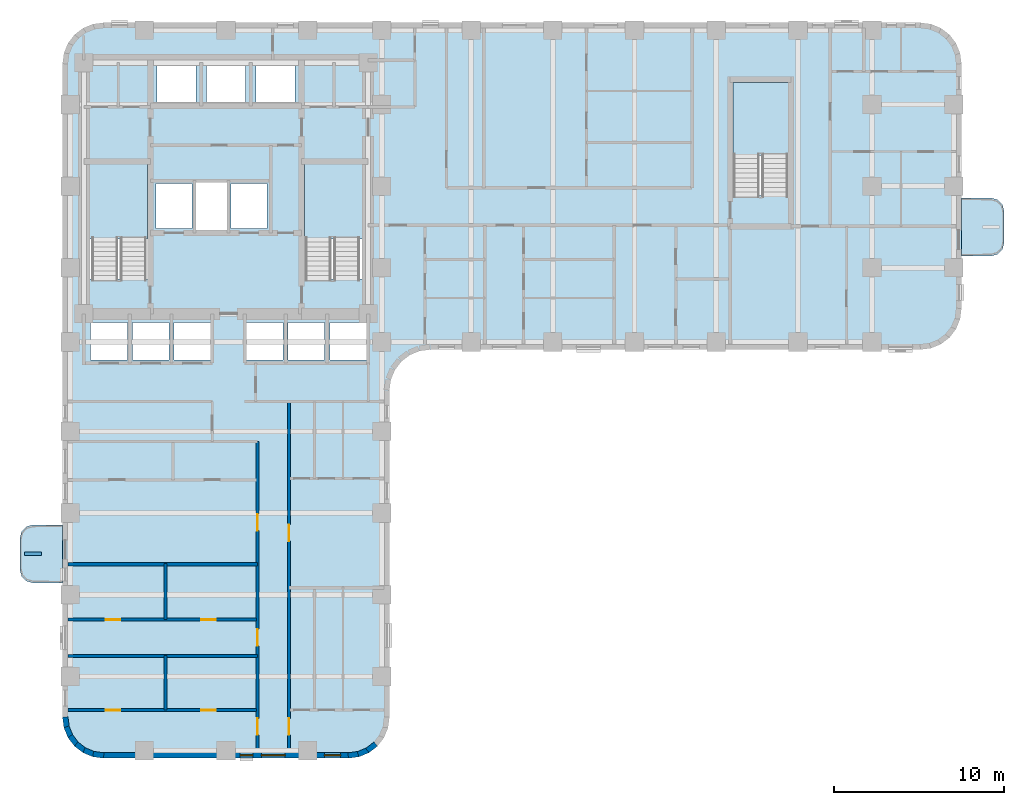
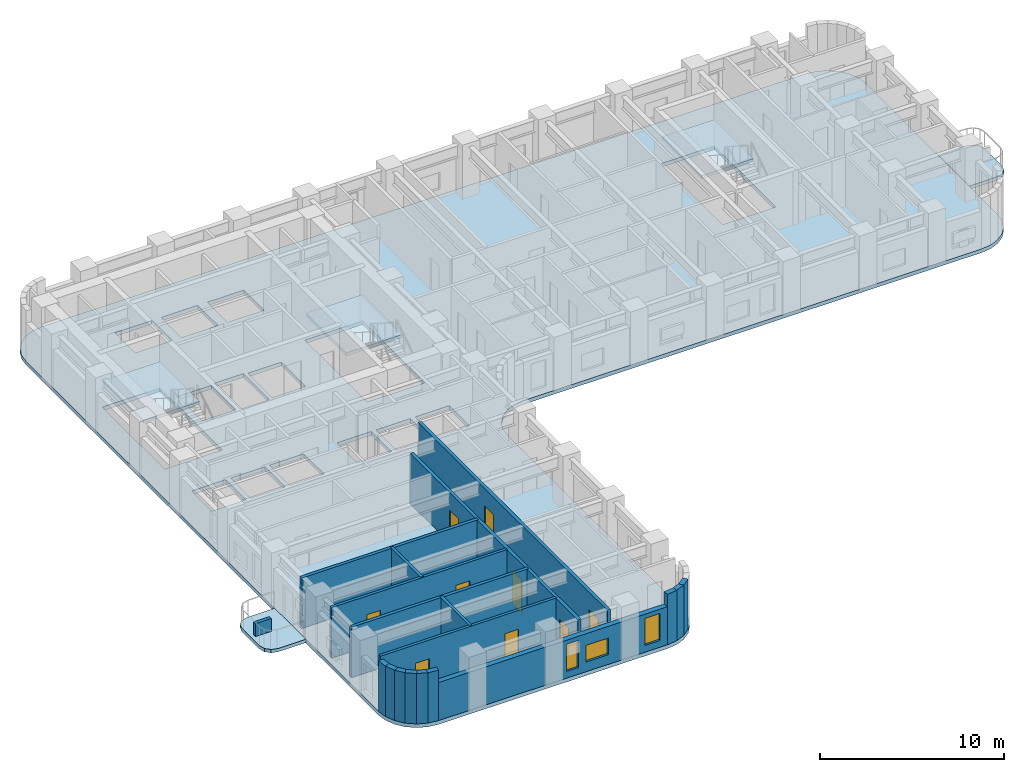
# One storey, part 2 of 11: 19 walls, 9 doors, 6 slabs, 3 windows, 12 openings, 3 elements without a shape of their own.
"""IFC4 building model written with IfcOpenShell, lengths in metres."""

from ifc_helpers import new_model, si_unit, direction, frame, frame_2d, origin, place, context, subcontext, project, spatial, polyline, rectangle, outline, extrude, material, layer, layer_set, type_object, element, fill, aggregate, save


model = new_model("IFC4")

# Units and contexts
model_context = context("Model", 3, precision=1e-05, world=origin(), true_north=direction((0.0, 1.0)))
body_context = subcontext(model_context, "Body", "Model", "MODEL_VIEW")
ifc_project = project(units=[si_unit("LENGTHUNIT", "METRE"), si_unit("AREAUNIT", "SQUARE_METRE"), si_unit("VOLUMEUNIT", "CUBIC_METRE"), si_unit("PLANEANGLEUNIT", "RADIAN"), si_unit("MASSUNIT", "GRAM", prefix="KILO")], contexts=[model_context])

# Site, building, storey
site_placement = place(None, origin())
site = spatial("IfcSite", under=ifc_project, at=site_placement, CompositionType="ELEMENT")
building_placement = place(site_placement, origin())
building = spatial("IfcBuilding", under=site, at=building_placement, Name="Orvandelia Arch Residences", CompositionType="ELEMENT")
storey_placement = place(building_placement, frame((0.0, 0.0, 46.60009765625)))
storey = spatial("IfcBuildingStorey", under=building, at=storey_placement, Name="L11", CompositionType="ELEMENT", Elevation=46.60009765625)

# Slabs
ifc_material_1 = material(Name="Precast concrete C40/50", Category="concrete")
ifc_layer_1 = layer(ifc_material_1, 0.219970703125, Name="Precast concrete C40/50", Category="concrete")
ifc_layer_set_1 = layer_set([ifc_layer_1], Name="Precast concrete C40/50")
slab_type_1 = type_object("IfcSlabType", Name="SLB-BAL-220", PredefinedType="USERDEFINED", material=ifc_layer_set_1)
slab_1_placement = place(storey_placement, frame((0.0, 0.0, -0.22021484375)))
element("IfcSlab", 1, at=slab_1_placement, inside=storey, type_object=slab_type_1, Name="Tree Balcony Cantilever Slab BAL-L11-W1", ObjectType="BALCONY", PredefinedType="USERDEFINED", context=body_context, shape_type="SweptSolid", body=[
    extrude(outline(polyline([(4.800048828125, 15.10009765625), (4.800048828125, 18.5), (3.050048828125, 18.5), (2.675048828125, 18.3994140625), (2.400390625, 18.125), (2.300048828125, 17.75), (2.300048828125, 15.85009765625), (2.400390625, 15.47509765625), (2.675048828125, 15.200439453125), (3.050048828125, 15.10009765625), (4.800048828125, 15.10009765625)])), origin(), (0.0, 0.0, 1.0), 0.22021484375),
])
slab_2_placement = place(storey_placement, frame((0.0, 0.0, -0.22021484375)))
element("IfcSlab", 2, at=slab_2_placement, inside=storey, type_object=slab_type_1, Name="Tree Balcony Cantilever Slab BAL-L11-E1", ObjectType="BALCONY", PredefinedType="USERDEFINED", context=body_context, shape_type="SweptSolid", body=[
    extrude(outline(polyline([(57.60009765625, 37.699951171875), (57.60009765625, 34.300048828125), (59.35009765625, 34.300048828125), (59.72509765625, 34.400390625), (59.99951171875, 34.675048828125), (60.10009765625, 35.050048828125), (60.10009765625, 36.949951171875), (59.99951171875, 37.324951171875), (59.72509765625, 37.599609375), (59.35009765625, 37.699951171875), (57.60009765625, 37.699951171875)])), origin(), (0.0, 0.0, 1.0), 0.22021484375),
])

# Stair, slab
ifc_material_2 = material(Name="Concrete C40/50", Category="concrete")
stair_type = type_object("IfcStairType", Name="STAIR-RC-DOGLEG", PredefinedType="HALF_TURN_STAIR", material=ifc_material_2)
stair_1_placement = place(storey_placement, origin())
stair_1 = element("IfcStair", 3, at=stair_1_placement, inside=storey, type_object=stair_type, Name="L11 Protected Exit Stair ST-1", PredefinedType="HALF_TURN_STAIR")
ifc_layer_2 = layer(ifc_material_2, 0.219970703125, Name="Concrete C40/50", Category="concrete")
ifc_layer_set_2 = layer_set([ifc_layer_2], Name="Concrete C40/50")
slab_type_2 = type_object("IfcSlabType", Name="SLB-LANDING-220", PredefinedType="LANDING", material=ifc_layer_set_2)
slab_3_placement = place(storey_placement, frame((0.0, 0.0, 1.599853515625)))
slab_3 = element("IfcSlab", 4, at=slab_3_placement, type_object=slab_type_2, Name="ST-1 landing 1", PredefinedType="LANDING", context=body_context, shape_type="SweptSolid", body=[
    extrude(outline(polyline([(9.800048828125, 35.31005859375), (9.800048828125, 39.68994140625), (6.260009765625, 39.68994140625), (6.260009765625, 35.31005859375), (9.800048828125, 35.31005859375)])), origin(), (0.0, 0.0, 1.0), 0.199951171875),
])
aggregate(stair_1, [slab_3])

stair_2_placement = place(storey_placement, origin())
stair_2 = element("IfcStair", 5, at=stair_2_placement, inside=storey, type_object=stair_type, Name="L11 Protected Exit Stair ST-2", PredefinedType="HALF_TURN_STAIR")
slab_4_placement = place(storey_placement, frame((0.0, 0.0, 1.599853515625)))
slab_4 = element("IfcSlab", 6, at=slab_4_placement, type_object=slab_type_2, Name="ST-2 landing 1", PredefinedType="LANDING", context=body_context, shape_type="SweptSolid", body=[
    extrude(outline(polyline([(22.5400390625, 35.31005859375), (22.5400390625, 39.68994140625), (19.0, 39.68994140625), (19.0, 35.31005859375), (22.5400390625, 35.31005859375)])), origin(), (0.0, 0.0, 1.0), 0.199951171875),
])
aggregate(stair_2, [slab_4])

stair_3_placement = place(storey_placement, origin())
stair_3 = element("IfcStair", 7, at=stair_3_placement, inside=storey, type_object=stair_type, Name="L11 East Wing Exit Stair ST-3", PredefinedType="HALF_TURN_STAIR")
slab_5_placement = place(storey_placement, frame((0.0, 0.0, 1.599853515625)))
slab_5 = element("IfcSlab", 8, at=slab_5_placement, type_object=slab_type_2, Name="ST-3 landing 1", PredefinedType="LANDING", context=body_context, shape_type="SweptSolid", body=[
    extrude(outline(polyline([(47.43994140625, 40.2099609375), (47.43994140625, 44.5), (44.179931640625, 44.5), (44.179931640625, 40.2099609375), (47.43994140625, 40.2099609375)])), origin(), (0.0, 0.0, 1.0), 0.199951171875),
])
aggregate(stair_3, [slab_5])

# Slab
ifc_layer_3 = layer(ifc_material_2, 0.25, Name="Concrete C40/50", Category="concrete")
ifc_layer_set_3 = layer_set([ifc_layer_3], Name="Concrete C40/50")
slab_type_3 = type_object("IfcSlabType", Name="SLB-TWR-250", PredefinedType="FLOOR", material=ifc_layer_set_3)
slab_6_placement = place(storey_placement, frame((0.0, 0.0, -0.25)))
element("IfcSlab", 9, at=slab_6_placement, inside=storey, type_object=slab_type_3, Name="Structural Floor Slab L11-1", PredefinedType="FLOOR", context=body_context, shape_type="SweptSolid", body=[
    extrude(outline(polyline([(4.800048828125, 7.199951171875), (4.8818359375, 6.578857421875), (5.12158203125, 6.0), (5.5029296875, 5.5029296875), (6.0, 5.12158203125), (6.578857421875, 4.8818359375), (7.199951171875, 4.800048828125), (21.60009765625, 4.800048828125), (22.22119140625, 4.8818359375), (22.800048828125, 5.12158203125), (23.297119140625, 5.5029296875), (23.678466796875, 6.0), (23.918212890625, 6.578857421875), (24.0, 7.199951171875), (24.0, 26.39990234375), (24.081787109375, 27.021240234375), (24.321533203125, 27.60009765625), (24.702880859375, 28.09716796875), (25.199951171875, 28.478515625), (25.77880859375, 28.71826171875), (26.39990234375, 28.800048828125), (55.199951171875, 28.800048828125), (55.8212890625, 28.8818359375), (56.39990234375, 29.12158203125), (56.897216796875, 29.5029296875), (57.278564453125, 30.0), (57.518310546875, 30.578857421875), (57.60009765625, 31.199951171875), (57.60009765625, 45.60009765625), (57.518310546875, 46.22119140625), (57.278564453125, 46.800048828125), (56.897216796875, 47.297119140625), (56.39990234375, 47.678466796875), (55.8212890625, 47.918212890625), (55.199951171875, 48.0), (7.199951171875, 48.0), (6.578857421875, 47.918212890625), (6.0, 47.678466796875), (5.5029296875, 47.297119140625), (5.12158203125, 46.800048828125), (4.8818359375, 46.22119140625), (4.800048828125, 45.60009765625), (4.800048828125, 7.199951171875)]), holes=[polyline([(6.219970703125, 32.949951171875), (9.840087890625, 32.949951171875), (9.840087890625, 39.72998046875), (6.219970703125, 39.72998046875), (6.219970703125, 32.949951171875)]), polyline([(18.9599609375, 32.949951171875), (22.580078125, 32.949951171875), (22.580078125, 39.72998046875), (18.9599609375, 39.72998046875), (18.9599609375, 32.949951171875)]), polyline([(44.139892578125, 37.85009765625), (47.47998046875, 37.85009765625), (47.47998046875, 44.5400390625), (44.139892578125, 44.5400390625), (44.139892578125, 37.85009765625)]), polyline([(12.639892578125, 35.81005859375), (14.4599609375, 35.81005859375), (14.4599609375, 38.639892578125), (12.639892578125, 38.639892578125), (12.639892578125, 35.81005859375)]), polyline([(10.300048828125, 35.89990234375), (12.39990234375, 35.89990234375), (12.39990234375, 38.550048828125), (10.300048828125, 38.550048828125), (10.300048828125, 35.89990234375)]), polyline([(14.699951171875, 35.89990234375), (16.800048828125, 35.89990234375), (16.800048828125, 38.550048828125), (14.699951171875, 38.550048828125), (14.699951171875, 35.89990234375)]), polyline([(10.35009765625, 43.300048828125), (12.64990234375, 43.300048828125), (12.64990234375, 45.5), (10.35009765625, 45.5), (10.35009765625, 43.300048828125)]), polyline([(13.25, 43.300048828125), (15.550048828125, 43.300048828125), (15.550048828125, 45.5), (13.25, 45.5), (13.25, 43.300048828125)]), polyline([(16.14990234375, 43.300048828125), (18.449951171875, 43.300048828125), (18.449951171875, 45.5), (16.14990234375, 45.5), (16.14990234375, 43.300048828125)]), polyline([(6.449951171875, 28.199951171875), (8.60009765625, 28.199951171875), (8.60009765625, 30.39990234375), (6.449951171875, 30.39990234375), (6.449951171875, 28.199951171875)]), polyline([(8.89990234375, 28.199951171875), (11.050048828125, 28.199951171875), (11.050048828125, 30.39990234375), (8.89990234375, 30.39990234375), (8.89990234375, 28.199951171875)]), polyline([(11.35009765625, 28.199951171875), (13.5, 28.199951171875), (13.5, 30.39990234375), (11.35009765625, 30.39990234375), (11.35009765625, 28.199951171875)]), polyline([(15.60009765625, 28.199951171875), (17.75, 28.199951171875), (17.75, 30.39990234375), (15.60009765625, 30.39990234375), (15.60009765625, 28.199951171875)]), polyline([(18.050048828125, 28.199951171875), (20.199951171875, 28.199951171875), (20.199951171875, 30.39990234375), (18.050048828125, 30.39990234375), (18.050048828125, 28.199951171875)]), polyline([(20.5, 28.199951171875), (22.64990234375, 28.199951171875), (22.64990234375, 30.39990234375), (20.5, 30.39990234375), (20.5, 28.199951171875)])]), origin(), (0.0, 0.0, 1.0), 0.25),
])

# Wall, openings, doors
ifc_material_3 = material(Name="Fire-Rated Corridor Partition")
ifc_layer_4 = layer(ifc_material_3, 0.199951171875, Name="Fire-Rated Corridor Partition")
ifc_layer_set_4 = layer_set([ifc_layer_4], Name="Fire-Rated Corridor Partition")
wall_type_1 = type_object("IfcWallType", Name="WL-CORR-200", PredefinedType="PARTITIONING", material=ifc_layer_set_4)
wall_1_placement = place(storey_placement, frame((16.25, 5.1201171875, 0.0), z_axis=(0.0, 0.0, 1.0), x_axis=(0.0, 1.0, 0.0)))
wall_1 = element("IfcWall", 10, at=wall_1_placement, inside=storey, type_object=wall_type_1, Name="Interior Partition Wall WL-L11-WC-W", PredefinedType="PARTITIONING", context=body_context, shape_type="SweptSolid", body=[
    extrude(rectangle(XDim=18.27978515625, YDim=0.199951171875, at=frame_2d((9.139892578125, 0.0))), origin(), (0.0, 0.0, 1.0), 3.349853515625),
])
opening_1_placement = place(wall_1_placement, frame((1.0419921875, 0.0, 0.0)))
opening_1 = element("IfcOpeningElement", 11, at=opening_1_placement, cuts=wall_1, Name="Opening D1", PredefinedType="OPENING", context=body_context, shape_type="SweptSolid", body=[
    extrude(rectangle(XDim=0.97998046875, YDim=2.179931640625, at=frame_2d((0.489990234375, 1.08984375))), frame((0.0, 0.10986328125, 0.0), z_axis=(0.0, -1.0, 0.0), x_axis=(1.0, 0.0, 0.0)), (0.0, 0.0, 1.0), 0.219970703125),
])
opening_2_placement = place(wall_1_placement, frame((6.280029296875, 0.0, 0.0)))
opening_2 = element("IfcOpeningElement", 12, at=opening_2_placement, cuts=wall_1, Name="Opening D1", PredefinedType="OPENING", context=body_context, shape_type="SweptSolid", body=[
    extrude(rectangle(XDim=0.97998046875, YDim=2.179931640625, at=frame_2d((0.489990234375, 1.08984375))), frame((0.0, 0.10986328125, 0.0), z_axis=(0.0, -1.0, 0.0), x_axis=(1.0, 0.0, 0.0)), (0.0, 0.0, 1.0), 0.219970703125),
])
opening_3_placement = place(wall_1_placement, frame((13.0400390625, 0.0, 0.0)))
opening_3 = element("IfcOpeningElement", 13, at=opening_3_placement, cuts=wall_1, Name="Opening D1", PredefinedType="OPENING", context=body_context, shape_type="SweptSolid", body=[
    extrude(rectangle(XDim=0.97998046875, YDim=2.179931640625, at=frame_2d((0.489990234375, 1.08984375))), frame((0.0, 0.10986328125, 0.0), z_axis=(0.0, -1.0, 0.0), x_axis=(1.0, 0.0, 0.0)), (0.0, 0.0, 1.0), 0.219970703125),
])
ifc_material_4 = material(Name="Solid-Core Timber Acoustic Fire Door", Category="wood")
door_type_1 = type_object("IfcDoorType", Name="DR-ENT-980", OperationType="NOTDEFINED", PredefinedType="DOOR", material=ifc_material_4)
door_1_placement = place(opening_1_placement, origin())
door_1 = element("IfcDoor", 14, at=door_1_placement, inside=storey, type_object=door_type_1, Name="Unit L11-01 Entrance Door", OperationType="SINGLE_SWING_LEFT", OverallHeight=2.179931640625, OverallWidth=0.97998046875, PredefinedType="DOOR", context=body_context, shape_type="SweptSolid", body=[
    extrude(rectangle(XDim=0.97998046875, YDim=2.179931640625, at=frame_2d((0.489990234375, 1.08984375))), frame((0.0, 0.02490234375, 0.0), z_axis=(0.0, -1.0, 0.0), x_axis=(1.0, 0.0, 0.0)), (0.0, 0.0, 1.0), 0.050048828125),
])
fill(opening_1, door_1)
door_2_placement = place(opening_2_placement, origin())
door_2 = element("IfcDoor", 15, at=door_2_placement, inside=storey, type_object=door_type_1, Name="Unit L11-02 Entrance Door", OperationType="SINGLE_SWING_RIGHT", OverallHeight=2.179931640625, OverallWidth=0.97998046875, PredefinedType="DOOR", context=body_context, shape_type="SweptSolid", body=[
    extrude(rectangle(XDim=0.97998046875, YDim=2.179931640625, at=frame_2d((0.489990234375, 1.08984375))), frame((0.0, 0.02490234375, 0.0), z_axis=(0.0, -1.0, 0.0), x_axis=(1.0, 0.0, 0.0)), (0.0, 0.0, 1.0), 0.050048828125),
])
fill(opening_2, door_2)
door_3_placement = place(opening_3_placement, origin())
door_3 = element("IfcDoor", 16, at=door_3_placement, inside=storey, type_object=door_type_1, Name="Unit L11-03 Entrance Door", OperationType="SINGLE_SWING_LEFT", OverallHeight=2.179931640625, OverallWidth=0.97998046875, PredefinedType="DOOR", context=body_context, shape_type="SweptSolid", body=[
    extrude(rectangle(XDim=0.97998046875, YDim=2.179931640625, at=frame_2d((0.489990234375, 1.08984375))), frame((0.0, 0.02490234375, 0.0), z_axis=(0.0, -1.0, 0.0), x_axis=(1.0, 0.0, 0.0)), (0.0, 0.0, 1.0), 0.050048828125),
])
fill(opening_3, door_3)

wall_2_placement = place(storey_placement, frame((18.10009765625, 5.1201171875, 0.0), z_axis=(0.0, 0.0, 1.0), x_axis=(0.0, 1.0, 0.0)))
wall_2 = element("IfcWall", 17, at=wall_2_placement, inside=storey, type_object=wall_type_1, Name="Interior Partition Wall WL-L11-WC-E", PredefinedType="PARTITIONING", context=body_context, shape_type="SweptSolid", body=[
    extrude(rectangle(XDim=20.6298828125, YDim=0.199951171875, at=frame_2d((10.31494140625, 0.0))), origin(), (0.0, 0.0, 1.0), 3.349853515625),
])
opening_4_placement = place(wall_2_placement, frame((1.04296875, 0.0, 0.0)))
opening_4 = element("IfcOpeningElement", 18, at=opening_4_placement, cuts=wall_2, Name="Opening D1", PredefinedType="OPENING", context=body_context, shape_type="SweptSolid", body=[
    extrude(rectangle(XDim=0.97998046875, YDim=2.179931640625, at=frame_2d((0.489990234375, 1.08984375))), frame((0.0, 0.10986328125, 0.0), z_axis=(0.0, -1.0, 0.0), x_axis=(1.0, 0.0, 0.0)), (0.0, 0.0, 1.0), 0.219970703125),
])
opening_5_placement = place(wall_2_placement, frame((12.422119140625, 0.0, 0.0)))
opening_5 = element("IfcOpeningElement", 19, at=opening_5_placement, cuts=wall_2, Name="Opening D1", PredefinedType="OPENING", context=body_context, shape_type="SweptSolid", body=[
    extrude(rectangle(XDim=0.97998046875, YDim=2.179931640625, at=frame_2d((0.489990234375, 1.08984375))), frame((0.0, 0.10986328125, 0.0), z_axis=(0.0, -1.0, 0.0), x_axis=(1.0, 0.0, 0.0)), (0.0, 0.0, 1.0), 0.219970703125),
])
door_4_placement = place(opening_4_placement, origin())
door_4 = element("IfcDoor", 20, at=door_4_placement, inside=storey, type_object=door_type_1, Name="Unit L11-04 Entrance Door", OperationType="SINGLE_SWING_RIGHT", OverallHeight=2.179931640625, OverallWidth=0.97998046875, PredefinedType="DOOR", context=body_context, shape_type="SweptSolid", body=[
    extrude(rectangle(XDim=0.97998046875, YDim=2.179931640625, at=frame_2d((0.489990234375, 1.08984375))), frame((0.0, 0.02490234375, 0.0), z_axis=(0.0, -1.0, 0.0), x_axis=(1.0, 0.0, 0.0)), (0.0, 0.0, 1.0), 0.050048828125),
])
fill(opening_4, door_4)
door_5_placement = place(opening_5_placement, origin())
door_5 = element("IfcDoor", 21, at=door_5_placement, inside=storey, type_object=door_type_1, Name="Unit L11-05 Entrance Door", OperationType="SINGLE_SWING_LEFT", OverallHeight=2.179931640625, OverallWidth=0.97998046875, PredefinedType="DOOR", context=body_context, shape_type="SweptSolid", body=[
    extrude(rectangle(XDim=0.97998046875, YDim=2.179931640625, at=frame_2d((0.489990234375, 1.08984375))), frame((0.0, 0.02490234375, 0.0), z_axis=(0.0, -1.0, 0.0), x_axis=(1.0, 0.0, 0.0)), (0.0, 0.0, 1.0), 0.050048828125),
])
fill(opening_5, door_5)

# Walls
ifc_layer_5 = layer(ifc_material_2, 0.199951171875, Name="Concrete C40/50", Category="concrete")
ifc_layer_set_5 = layer_set([ifc_layer_5], Name="Concrete C40/50")
wall_type_2 = type_object("IfcWallType", Name="WL-DEM-200", PredefinedType="SOLIDWALL", material=ifc_layer_set_5)
for number, where, z_axis, x_axis, name in (
    (22, (5.1201171875, 10.800048828125, 0.0), (0.0, 0.0, 1.0), (1.0, 0.0, 0.0), "Interior Partition Wall WL-L11-DEM-WL-108"),
    (23, (5.1201171875, 16.199951171875, 0.0), (0.0, 0.0, 1.0), (1.0, 0.0, 0.0), "Interior Partition Wall WL-L11-DEM-WL-162"),
):
    element("IfcWall", number, at=place(storey_placement, frame(where, z_axis=z_axis, x_axis=x_axis)), inside=storey, type_object=wall_type_2, Name=name, PredefinedType="SOLIDWALL", context=body_context, shape_type="SweptSolid", body=[
        extrude(rectangle(XDim=11.1298828125, YDim=0.199951171875, at=frame_2d((5.56494140625, 0.0))), origin(), (0.0, 0.0, 1.0), 3.349853515625),
    ])
ifc_layer_6 = layer(ifc_material_1, 0.320068359375, Name="Precast concrete C40/50", Category="concrete")
ifc_layer_set_6 = layer_set([ifc_layer_6], Name="Precast concrete C40/50")
wall_type_3 = type_object("IfcWallType", Name="WL-EXT-STONE-320", PredefinedType="STANDARD", material=ifc_layer_set_6)
wall_3_placement = place(storey_placement, frame((23.19970703125, 5.6298828125, 0.0), z_axis=(0.0, 0.0, 1.0), x_axis=(-0.7932174212, -0.608938521285, 0.0)))
element("IfcWall", 24, at=wall_3_placement, inside=storey, type_object=wall_type_3, Name="Coral-Limestone Precast Facade Wall L11-032", PredefinedType="STANDARD", context=body_context, shape_type="SweptSolid", body=[
    extrude(rectangle(XDim=0.626708984375, YDim=0.320068359375, at=frame_2d((0.3134765625, 0.0))), origin(), (0.0, 0.0, 1.0), 3.349853515625),
])
for number, where, z_axis, x_axis, name in (
    (25, (22.73876953125, 5.269287109375, 0.0), (0.0, 0.0, 1.0), (-0.92389335771, -0.382650053678, 0.0), "Coral-Limestone Precast Facade Wall L11-033"),
    (26, (22.2001953125, 5.040283203125, 0.0), (0.0, 0.0, 1.0), (-0.9914410257, -0.130555323746, 0.0), "Coral-Limestone Precast Facade Wall L11-034"),
):
    element("IfcWall", number, at=place(storey_placement, frame(where, z_axis=z_axis, x_axis=x_axis)), inside=storey, type_object=wall_type_3, Name=name, PredefinedType="STANDARD", context=body_context, shape_type="SweptSolid", body=[
        extrude(rectangle(XDim=0.62646484375, YDim=0.320068359375, at=frame_2d((0.313232421875, 0.0))), origin(), (0.0, 0.0, 1.0), 3.349853515625),
    ])

# Wall, openings, windows
wall_4_placement = place(storey_placement, frame((21.60009765625, 4.9599609375, 0.0), z_axis=(0.0, 0.0, 1.0), x_axis=(-1.0, 0.0, 0.0)))
wall_4 = element("IfcWall", 27, at=wall_4_placement, inside=storey, type_object=wall_type_3, Name="Coral-Limestone Precast Facade Wall L11-035", PredefinedType="STANDARD", context=body_context, shape_type="SweptSolid", body=[
    extrude(rectangle(XDim=14.400146484375, YDim=0.320068359375, at=frame_2d((7.2001953125, 0.0))), origin(), (0.0, 0.0, 1.0), 2.52978515625),
])
opening_6_placement = place(wall_4_placement, frame((5.614990234375, 0.0, 0.449951171875)))
opening_6 = element("IfcOpeningElement", 28, at=opening_6_placement, cuts=wall_4, Name="Opening W11", PredefinedType="OPENING", context=body_context, shape_type="SweptSolid", body=[
    extrude(rectangle(XDim=0.75, YDim=1.800048828125, at=frame_2d((0.375, 0.89990234375))), frame((0.0, 0.169921875, 0.0), z_axis=(0.0, -1.0, 0.0), x_axis=(1.0, 0.0, 0.0)), (0.0, 0.0, 1.0), 0.340087890625),
])
opening_7_placement = place(wall_4_placement, frame((3.72509765625, 0.0, 0.64990234375)))
opening_7 = element("IfcOpeningElement", 29, at=opening_7_placement, cuts=wall_4, Name="Opening W10", PredefinedType="OPENING", context=body_context, shape_type="SweptSolid", body=[
    extrude(rectangle(XDim=1.39990234375, YDim=1.10009765625, at=frame_2d((0.699951171875, 0.550048828125))), frame((0.0, 0.169921875, 0.0), z_axis=(0.0, -1.0, 0.0), x_axis=(1.0, 0.0, 0.0)), (0.0, 0.0, 1.0), 0.340087890625),
])
opening_8_placement = place(wall_4_placement, frame((0.469970703125, 0.0, 0.449951171875)))
opening_8 = element("IfcOpeningElement", 30, at=opening_8_placement, cuts=wall_4, Name="Opening W4", PredefinedType="OPENING", context=body_context, shape_type="SweptSolid", body=[
    extrude(rectangle(XDim=0.949951171875, YDim=1.800048828125, at=frame_2d((0.47509765625, 0.89990234375))), frame((0.0, 0.169921875, 0.0), z_axis=(0.0, -1.0, 0.0), x_axis=(1.0, 0.0, 0.0)), (0.0, 0.0, 1.0), 0.340087890625),
])
ifc_material_5 = material(Name="Tempered Low-E Insulated Glazing", Category="glass")
window_type_1 = type_object("IfcWindowType", Name="WIN-BED-0750x1800", PartitioningType="SINGLE_PANEL", PredefinedType="WINDOW", material=ifc_material_5)
window_1_placement = place(opening_6_placement, origin())
window_1 = element("IfcWindow", 31, at=window_1_placement, inside=storey, type_object=window_type_1, Name="Recessed Punched Window L11-024", OverallHeight=1.800048828125, OverallWidth=0.75, PartitioningType="SINGLE_PANEL", PredefinedType="WINDOW", context=body_context, shape_type="SweptSolid", body=[
    extrude(rectangle(XDim=0.75, YDim=1.800048828125, at=frame_2d((0.375, 0.89990234375))), frame((0.0, 0.030029296875, 0.0), z_axis=(0.0, -1.0, 0.0), x_axis=(1.0, 0.0, 0.0)), (0.0, 0.0, 1.0), 0.06005859375),
])
fill(opening_6, window_1)
window_type_2 = type_object("IfcWindowType", Name="WIN-CLR-1400x1100", PartitioningType="SINGLE_PANEL", PredefinedType="WINDOW", material=ifc_material_5)
window_2_placement = place(opening_7_placement, origin())
window_2 = element("IfcWindow", 32, at=window_2_placement, inside=storey, type_object=window_type_2, Name="Recessed Punched Window L11-025", OverallHeight=1.10009765625, OverallWidth=1.39990234375, PartitioningType="SINGLE_PANEL", PredefinedType="WINDOW", context=body_context, shape_type="SweptSolid", body=[
    extrude(rectangle(XDim=1.39990234375, YDim=1.10009765625, at=frame_2d((0.699951171875, 0.550048828125))), frame((0.0, 0.030029296875, 0.0), z_axis=(0.0, -1.0, 0.0), x_axis=(1.0, 0.0, 0.0)), (0.0, 0.0, 1.0), 0.06005859375),
])
fill(opening_7, window_2)
window_type_3 = type_object("IfcWindowType", Name="WIN-RES-0950x1800", PartitioningType="SINGLE_PANEL", PredefinedType="WINDOW", material=ifc_material_5)
window_3_placement = place(opening_8_placement, origin())
window_3 = element("IfcWindow", 33, at=window_3_placement, inside=storey, type_object=window_type_3, Name="Recessed Punched Window L11-026", OverallHeight=1.800048828125, OverallWidth=0.949951171875, PartitioningType="SINGLE_PANEL", PredefinedType="WINDOW", context=body_context, shape_type="SweptSolid", body=[
    extrude(rectangle(XDim=0.949951171875, YDim=1.800048828125, at=frame_2d((0.47509765625, 0.89990234375))), frame((0.0, 0.030029296875, 0.0), z_axis=(0.0, -1.0, 0.0), x_axis=(1.0, 0.0, 0.0)), (0.0, 0.0, 1.0), 0.06005859375),
])
fill(opening_8, window_3)

# Walls
wall_5_placement = place(storey_placement, frame((7.220947265625, 4.95849609375, 0.0), z_axis=(0.0, 0.0, 1.0), x_axis=(-0.991447664465, 0.130504898859, 0.0)))
element("IfcWall", 34, at=wall_5_placement, inside=storey, type_object=wall_type_3, Name="Coral-Limestone Precast Facade Wall L11-036", PredefinedType="STANDARD", context=body_context, shape_type="SweptSolid", body=[
    extrude(rectangle(XDim=0.626708984375, YDim=0.320068359375, at=frame_2d((0.3134765625, 0.0))), origin(), (0.0, 0.0, 1.0), 3.349853515625),
])
wall_6_placement = place(storey_placement, frame((6.639892578125, 5.029541015625, 0.0), z_axis=(0.0, 0.0, 1.0), x_axis=(-0.923836271867, 0.382787856107, 0.0)))
element("IfcWall", 35, at=wall_6_placement, inside=storey, type_object=wall_type_3, Name="Coral-Limestone Precast Facade Wall L11-037", PredefinedType="STANDARD", context=body_context, shape_type="SweptSolid", body=[
    extrude(rectangle(XDim=0.626220703125, YDim=0.320068359375, at=frame_2d((0.31298828125, 0.0))), origin(), (0.0, 0.0, 1.0), 3.349853515625),
])
for number, where, z_axis, x_axis, name in (
    (36, (6.097412109375, 5.248291015625, 0.0), (0.0, 0.0, 1.0), (-0.7932174212, 0.608938521285, 0.0), "Coral-Limestone Precast Facade Wall L11-038"),
    (37, (5.6298828125, 5.600341796875, 0.0), (0.0, 0.0, 1.0), (-0.608938521285, 0.7932174212, 0.0), "Coral-Limestone Precast Facade Wall L11-039"),
):
    element("IfcWall", number, at=place(storey_placement, frame(where, z_axis=z_axis, x_axis=x_axis)), inside=storey, type_object=wall_type_3, Name=name, PredefinedType="STANDARD", context=body_context, shape_type="SweptSolid", body=[
        extrude(rectangle(XDim=0.626708984375, YDim=0.320068359375, at=frame_2d((0.3134765625, 0.0))), origin(), (0.0, 0.0, 1.0), 3.349853515625),
    ])
wall_7_placement = place(storey_placement, frame((5.269287109375, 6.061279296875, 0.0), z_axis=(0.0, 0.0, 1.0), x_axis=(-0.382787856107, 0.923836271867, 0.0)))
element("IfcWall", 38, at=wall_7_placement, inside=storey, type_object=wall_type_3, Name="Coral-Limestone Precast Facade Wall L11-040", PredefinedType="STANDARD", context=body_context, shape_type="SweptSolid", body=[
    extrude(rectangle(XDim=0.626220703125, YDim=0.320068359375, at=frame_2d((0.31298828125, 0.0))), origin(), (0.0, 0.0, 1.0), 3.349853515625),
])
wall_8_placement = place(storey_placement, frame((5.040283203125, 6.599609375, 0.0), z_axis=(0.0, 0.0, 1.0), x_axis=(-0.130504898859, 0.991447664465, 0.0)))
element("IfcWall", 39, at=wall_8_placement, inside=storey, type_object=wall_type_3, Name="Coral-Limestone Precast Facade Wall L11-041", PredefinedType="STANDARD", context=body_context, shape_type="SweptSolid", body=[
    extrude(rectangle(XDim=0.626708984375, YDim=0.320068359375, at=frame_2d((0.3134765625, 0.0))), origin(), (0.0, 0.0, 1.0), 3.349853515625),
])
ifc_layer_7 = layer(ifc_material_1, 0.199951171875, Name="Precast concrete C40/50", Category="concrete")
ifc_layer_set_7 = layer_set([ifc_layer_7], Name="Precast concrete C40/50")
wall_type_4 = type_object("IfcWallType", Name="WL-PLANTER-200", PredefinedType="MOVABLE", material=ifc_layer_set_7)
wall_9_placement = place(storey_placement, frame((2.550048828125, 16.800048828125, 0.0), z_axis=(0.0, 0.0, 1.0), x_axis=(1.0, 0.0, 0.0)))
element("IfcWall", 40, at=wall_9_placement, inside=storey, type_object=wall_type_4, Name="Balcony Precast Tree Planter BAL-L11-W1", PredefinedType="MOVABLE", context=body_context, shape_type="SweptSolid", body=[
    extrude(rectangle(XDim=1.0, YDim=0.199951171875, at=frame_2d((0.5, 0.0))), origin(), (0.0, 0.0, 1.0), 0.849853515625),
])

# Wall, openings, doors
ifc_material_6 = material(Name="Moisture-Resistant Plumbing Wall")
ifc_layer_8 = layer(ifc_material_6, 0.179931640625, Name="Moisture-Resistant Plumbing Wall")
ifc_layer_set_8 = layer_set([ifc_layer_8], Name="Moisture-Resistant Plumbing Wall")
wall_type_5 = type_object("IfcWallType", Name="WL-WET-180", PredefinedType="PLUMBINGWALL", material=ifc_layer_set_8)
wall_10_placement = place(storey_placement, frame((5.1201171875, 7.6240234375, 0.0), z_axis=(0.0, 0.0, 1.0), x_axis=(1.0, 0.0, 0.0)))
wall_10 = element("IfcWall", 41, at=wall_10_placement, inside=storey, type_object=wall_type_5, Name="Interior Partition Wall WL-L11-U01-HZ", PredefinedType="PLUMBINGWALL", context=body_context, shape_type="SweptSolid", body=[
    extrude(rectangle(XDim=11.06982421875, YDim=0.179931640625, at=frame_2d((5.534912109375, 0.0))), origin(), (0.0, 0.0, 1.0), 3.349853515625),
])
opening_9_placement = place(wall_10_placement, frame((2.208984375, 0.0, 0.0)))
opening_9 = element("IfcOpeningElement", 42, at=opening_9_placement, cuts=wall_10, Name="Opening D4", PredefinedType="OPENING", context=body_context, shape_type="SweptSolid", body=[
    extrude(rectangle(XDim=0.860107421875, YDim=2.10009765625, at=frame_2d((0.43017578125, 1.050048828125))), frame((0.0, 0.10009765625, 0.0), z_axis=(0.0, -1.0, 0.0), x_axis=(1.0, 0.0, 0.0)), (0.0, 0.0, 1.0), 0.199951171875),
])
opening_10_placement = place(wall_10_placement, frame((7.823974609375, 0.0, 0.0)))
opening_10 = element("IfcOpeningElement", 43, at=opening_10_placement, cuts=wall_10, Name="Opening D4", PredefinedType="OPENING", context=body_context, shape_type="SweptSolid", body=[
    extrude(rectangle(XDim=0.860107421875, YDim=2.10009765625, at=frame_2d((0.43017578125, 1.050048828125))), frame((0.0, 0.10009765625, 0.0), z_axis=(0.0, -1.0, 0.0), x_axis=(1.0, 0.0, 0.0)), (0.0, 0.0, 1.0), 0.199951171875),
])
ifc_material_7 = material(Name="Moisture-Sealed Timber Bathroom Door", Category="wood")
door_type_2 = type_object("IfcDoorType", Name="DR-WET-900", OperationType="NOTDEFINED", PredefinedType="DOOR", material=ifc_material_7)
door_6_placement = place(opening_9_placement, origin())
door_6 = element("IfcDoor", 44, at=door_6_placement, inside=storey, type_object=door_type_2, Name="DR-L11-U01-KIT", OperationType="SINGLE_SWING_LEFT", OverallHeight=2.10009765625, OverallWidth=0.860107421875, PredefinedType="DOOR", context=body_context, shape_type="SweptSolid", body=[
    extrude(rectangle(XDim=0.860107421875, YDim=2.10009765625, at=frame_2d((0.43017578125, 1.050048828125))), frame((0.0, 0.02490234375, 0.0), z_axis=(0.0, -1.0, 0.0), x_axis=(1.0, 0.0, 0.0)), (0.0, 0.0, 1.0), 0.050048828125),
])
fill(opening_9, door_6)
door_7_placement = place(opening_10_placement, origin())
door_7 = element("IfcDoor", 45, at=door_7_placement, inside=storey, type_object=door_type_2, Name="DR-L11-U01-BTH", OperationType="SINGLE_SWING_RIGHT", OverallHeight=2.10009765625, OverallWidth=0.860107421875, PredefinedType="DOOR", context=body_context, shape_type="SweptSolid", body=[
    extrude(rectangle(XDim=0.860107421875, YDim=2.10009765625, at=frame_2d((0.43017578125, 1.050048828125))), frame((0.0, 0.02490234375, 0.0), z_axis=(0.0, -1.0, 0.0), x_axis=(1.0, 0.0, 0.0)), (0.0, 0.0, 1.0), 0.050048828125),
])
fill(opening_10, door_7)

# Wall
wall_11_placement = place(storey_placement, frame((10.847900390625, 7.6240234375, 0.0), z_axis=(0.0, 0.0, 1.0), x_axis=(0.0, 1.0, 0.0)))
element("IfcWall", 46, at=wall_11_placement, inside=storey, type_object=wall_type_5, Name="Interior Partition Wall WL-L11-U01-V1", PredefinedType="PLUMBINGWALL", context=body_context, shape_type="SweptSolid", body=[
    extrude(rectangle(XDim=3.216064453125, YDim=0.179931640625, at=frame_2d((1.60791015625, 0.0))), origin(), (0.0, 0.0, 1.0), 3.349853515625),
])

# Wall, openings, doors
wall_12_placement = place(storey_placement, frame((5.1201171875, 12.93994140625, 0.0), z_axis=(0.0, 0.0, 1.0), x_axis=(1.0, 0.0, 0.0)))
wall_12 = element("IfcWall", 47, at=wall_12_placement, inside=storey, type_object=wall_type_5, Name="Interior Partition Wall WL-L11-U02-HZ", PredefinedType="PLUMBINGWALL", context=body_context, shape_type="SweptSolid", body=[
    extrude(rectangle(XDim=11.06982421875, YDim=0.179931640625, at=frame_2d((5.534912109375, 0.0))), origin(), (0.0, 0.0, 1.0), 3.349853515625),
])
opening_11_placement = place(wall_12_placement, frame((2.208984375, 0.0, 0.0)))
opening_11 = element("IfcOpeningElement", 48, at=opening_11_placement, cuts=wall_12, Name="Opening D4", PredefinedType="OPENING", context=body_context, shape_type="SweptSolid", body=[
    extrude(rectangle(XDim=0.860107421875, YDim=2.10009765625, at=frame_2d((0.43017578125, 1.050048828125))), frame((0.0, 0.10009765625, 0.0), z_axis=(0.0, -1.0, 0.0), x_axis=(1.0, 0.0, 0.0)), (0.0, 0.0, 1.0), 0.199951171875),
])
opening_12_placement = place(wall_12_placement, frame((7.823974609375, 0.0, 0.0)))
opening_12 = element("IfcOpeningElement", 49, at=opening_12_placement, cuts=wall_12, Name="Opening D4", PredefinedType="OPENING", context=body_context, shape_type="SweptSolid", body=[
    extrude(rectangle(XDim=0.860107421875, YDim=2.10009765625, at=frame_2d((0.43017578125, 1.050048828125))), frame((0.0, 0.10009765625, 0.0), z_axis=(0.0, -1.0, 0.0), x_axis=(1.0, 0.0, 0.0)), (0.0, 0.0, 1.0), 0.199951171875),
])
door_8_placement = place(opening_11_placement, origin())
door_8 = element("IfcDoor", 50, at=door_8_placement, inside=storey, type_object=door_type_2, Name="DR-L11-U02-KIT", OperationType="SINGLE_SWING_RIGHT", OverallHeight=2.10009765625, OverallWidth=0.860107421875, PredefinedType="DOOR", context=body_context, shape_type="SweptSolid", body=[
    extrude(rectangle(XDim=0.860107421875, YDim=2.10009765625, at=frame_2d((0.43017578125, 1.050048828125))), frame((0.0, 0.02490234375, 0.0), z_axis=(0.0, -1.0, 0.0), x_axis=(1.0, 0.0, 0.0)), (0.0, 0.0, 1.0), 0.050048828125),
])
fill(opening_11, door_8)
door_9_placement = place(opening_12_placement, origin())
door_9 = element("IfcDoor", 51, at=door_9_placement, inside=storey, type_object=door_type_2, Name="DR-L11-U02-BTH", OperationType="SINGLE_SWING_LEFT", OverallHeight=2.10009765625, OverallWidth=0.860107421875, PredefinedType="DOOR", context=body_context, shape_type="SweptSolid", body=[
    extrude(rectangle(XDim=0.860107421875, YDim=2.10009765625, at=frame_2d((0.43017578125, 1.050048828125))), frame((0.0, 0.02490234375, 0.0), z_axis=(0.0, -1.0, 0.0), x_axis=(1.0, 0.0, 0.0)), (0.0, 0.0, 1.0), 0.050048828125),
])
fill(opening_12, door_9)

# Wall
wall_13_placement = place(storey_placement, frame((10.847900390625, 12.93994140625, 0.0), z_axis=(0.0, 0.0, 1.0), x_axis=(0.0, 1.0, 0.0)))
element("IfcWall", 52, at=wall_13_placement, inside=storey, type_object=wall_type_5, Name="Interior Partition Wall WL-L11-U02-V1", PredefinedType="PLUMBINGWALL", context=body_context, shape_type="SweptSolid", body=[
    extrude(rectangle(XDim=3.300048828125, YDim=0.179931640625, at=frame_2d((1.64990234375, 0.0))), origin(), (0.0, 0.0, 1.0), 3.349853515625),
])

save(model, "model.ifc")
